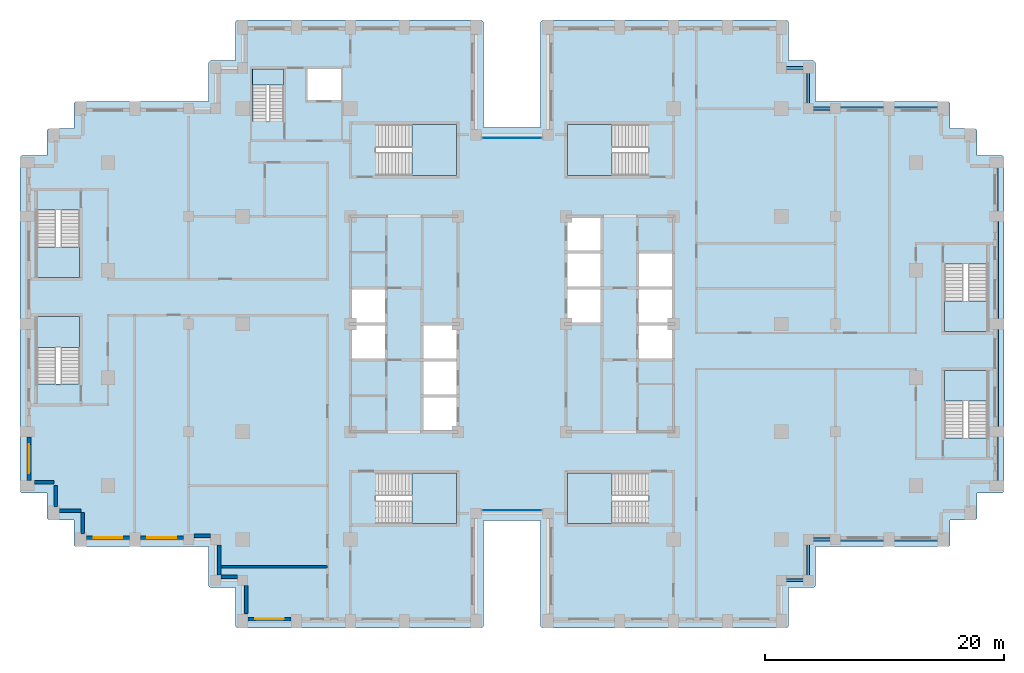
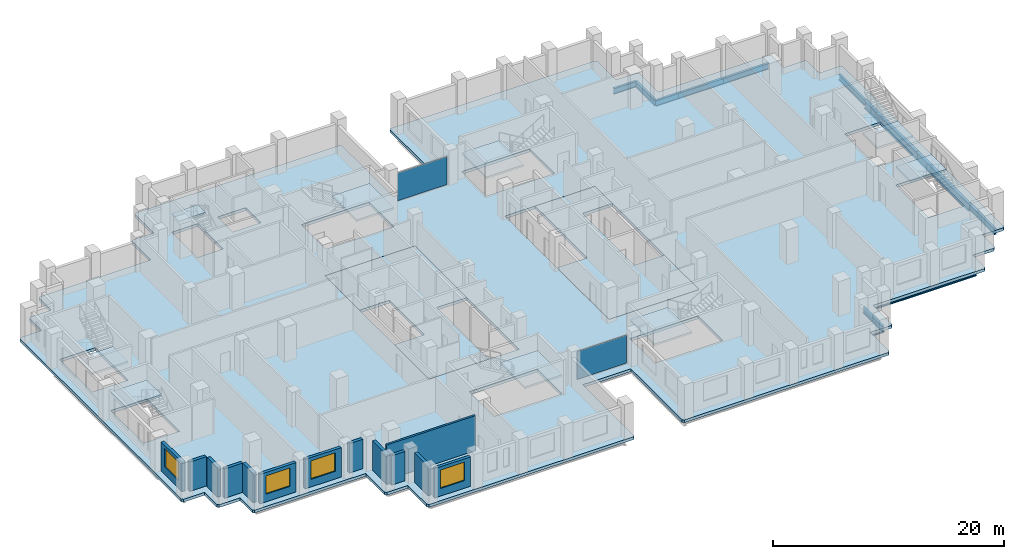
# One storey, part 5 of 15: 14 beams, 13 walls, 12 slabs, 4 windows, 2 plates, 4 openings, 11 elements without a shape of their own.
"""IFC4 building model written with IfcOpenShell, lengths in metres."""

from ifc_helpers import new_model, si_unit, direction, frame, frame_2d, origin, origin_2d, place, context, subcontext, project, spatial, polyline, rectangle, i_section, outline, extrude, material, layer, layer_set, material_profile, profile_set, type_object, element, fill, aggregate, save


model = new_model("IFC4")

# Units and contexts
model_context = context("Model", 3, precision=1e-05, world=origin(), true_north=direction((0.0, 1.0)))
body_context = subcontext(model_context, "Body", "Model", "MODEL_VIEW")
ifc_project = project(units=[si_unit("LENGTHUNIT", "METRE"), si_unit("AREAUNIT", "SQUARE_METRE"), si_unit("VOLUMEUNIT", "CUBIC_METRE"), si_unit("PLANEANGLEUNIT", "RADIAN"), si_unit("MASSUNIT", "GRAM", prefix="KILO")], contexts=[model_context])

# Site, building, storey
site_placement = place(None, origin())
site = spatial("IfcSite", under=ifc_project, at=site_placement, CompositionType="ELEMENT")
building_placement = place(site_placement, origin())
building = spatial("IfcBuilding", under=site, at=building_placement, Name="Corbelhall Arena Tower", CompositionType="ELEMENT")
storey_placement = place(building_placement, frame((0.0, 0.0, 84.0)))
storey = spatial("IfcBuildingStorey", under=building, at=storey_placement, Name="L13", CompositionType="ELEMENT", Elevation=84.0)

# Beams
ifc_material_1 = material(Name="Steel ASTM A992 Gr50", Category="steel")
ifc_material_profile_1 = material_profile(ifc_material_1, i_section(OverallWidth=0.23046875, OverallDepth=0.6171875, WebThickness=0.01318359375, FlangeThickness=0.022216796875, at=origin_2d()))
ifc_profile_set_1 = profile_set([ifc_material_profile_1], Name="Steel ASTM A992 Gr50")
beam_type_1 = type_object("IfcBeamType", Name="ST-SPANDREL-W24x94", PredefinedType="SPANDREL", material=ifc_profile_set_1)
for number, where, z_axis, x_axis, name in (
    (1, (40.5, 13.5, -0.608642578125), (0.0, -1.0, 0.0), (1.0, 0.0, 0.0), "Beam SP 10"),
    (2, (40.5, -9.0, -0.608642578125), (0.0, -1.0, 0.0), (1.0, 0.0, 0.0), "Beam SP 11"),
    (3, (31.5, 18.0, -0.608642578125), (1.0, 0.0, 0.0), (0.0, 1.0, 0.0), "Beam SP 12"),
    (4, (31.5, -18.0, -0.608642578125), (-1.0, 0.0, 0.0), (0.0, -1.0, 0.0), "Beam SP 13"),
    (5, (36.0, -18.0, -0.608642578125), (-1.0, 0.0, 0.0), (0.0, -1.0, 0.0), "Beam SP 14"),
    (6, (27.0, 18.0, -0.608642578125), (1.0, 0.0, 0.0), (0.0, 1.0, 0.0), "Beam SP 15"),
):
    element("IfcBeam", number, at=place(storey_placement, frame(where, z_axis=z_axis, x_axis=x_axis)), inside=storey, type_object=beam_type_1, Name=name, PredefinedType="SPANDREL", context=body_context, shape_type="SweptSolid", body=[
        extrude(i_section(OverallWidth=0.23046875, OverallDepth=0.6171875, WebThickness=0.01318359375, FlangeThickness=0.022216796875, at=origin_2d()), origin(), (0.0, 0.0, 1.0), 4.5),
    ])
for number, where, z_axis, x_axis, name in (
    (7, (27.0, -18.0, -0.608642578125), (-1.0, 0.0, 0.0), (0.0, -1.0, 0.0), "Beam SP 16"),
    (8, (22.5, 21.39990234375, -0.608642578125), (1.0, 0.0, 0.0), (0.0, 1.0, 0.0), "Beam SP 43"),
):
    element("IfcBeam", number, at=place(storey_placement, frame(where, z_axis=z_axis, x_axis=x_axis)), inside=storey, type_object=beam_type_1, Name=name, PredefinedType="SPANDREL", context=body_context, shape_type="SweptSolid", body=[
        extrude(i_section(OverallWidth=0.23046875, OverallDepth=0.6171875, WebThickness=0.01318359375, FlangeThickness=0.022216796875, at=origin_2d()), origin(), (0.0, 0.0, 1.0), 2.25),
    ])
beam_1_placement = place(storey_placement, frame((24.75, 21.39990234375, -0.608642578125), z_axis=(0.0, -1.0, 0.0), x_axis=(1.0, 0.0, 0.0)))
element("IfcBeam", 9, at=beam_1_placement, inside=storey, type_object=beam_type_1, Name="Beam SP 44", PredefinedType="SPANDREL", context=body_context, shape_type="SweptSolid", body=[
    extrude(i_section(OverallWidth=0.23046875, OverallDepth=0.6171875, WebThickness=0.01318359375, FlangeThickness=0.022216796875, at=origin_2d()), origin(), (0.0, 0.0, 1.0), 3.39990234375),
])
for number, where, z_axis, x_axis, name in (
    (10, (24.75, 18.0, -0.608642578125), (1.0, 0.0, 0.0), (0.0, 1.0, 0.0), "Beam SP 45"),
    (11, (24.75, -21.39990234375, -0.608642578125), (-1.0, 0.0, 0.0), (0.0, -1.0, 0.0), "Beam SP 50"),
):
    element("IfcBeam", number, at=place(storey_placement, frame(where, z_axis=z_axis, x_axis=x_axis)), inside=storey, type_object=beam_type_1, Name=name, PredefinedType="SPANDREL", context=body_context, shape_type="SweptSolid", body=[
        extrude(i_section(OverallWidth=0.23046875, OverallDepth=0.6171875, WebThickness=0.01318359375, FlangeThickness=0.022216796875, at=origin_2d()), origin(), (0.0, 0.0, 1.0), 2.25),
    ])
beam_2_placement = place(storey_placement, frame((24.75, -18.0, -0.608642578125), z_axis=(0.0, -1.0, 0.0), x_axis=(1.0, 0.0, 0.0)))
element("IfcBeam", 12, at=beam_2_placement, inside=storey, type_object=beam_type_1, Name="Beam SP 51", PredefinedType="SPANDREL", context=body_context, shape_type="SweptSolid", body=[
    extrude(i_section(OverallWidth=0.23046875, OverallDepth=0.6171875, WebThickness=0.01318359375, FlangeThickness=0.022216796875, at=origin_2d()), origin(), (0.0, 0.0, 1.0), 3.39990234375),
])
ifc_material_profile_2 = material_profile(ifc_material_1, i_section(OverallWidth=0.2919921875, OverallDepth=0.845703125, WebThickness=0.015380859375, FlangeThickness=0.0244140625, at=origin_2d()))
ifc_profile_set_2 = profile_set([ifc_material_profile_2], Name="Steel ASTM A992 Gr50")
beam_type_2 = type_object("IfcBeamType", Name="ST-SPANDREL-W33x141", PredefinedType="SPANDREL", material=ifc_profile_set_2)
for number, where, z_axis, x_axis, name in (
    (13, (40.5, 0.0, -0.722900390625), (0.0, -1.0, 0.0), (1.0, 0.0, 0.0), "Beam SP 8"),
    (14, (40.5, 9.0, -0.722900390625), (0.0, -1.0, 0.0), (1.0, 0.0, 0.0), "Beam SP 9"),
):
    element("IfcBeam", number, at=place(storey_placement, frame(where, z_axis=z_axis, x_axis=x_axis)), inside=storey, type_object=beam_type_2, Name=name, PredefinedType="SPANDREL", context=body_context, shape_type="SweptSolid", body=[
        extrude(i_section(OverallWidth=0.2919921875, OverallDepth=0.845703125, WebThickness=0.015380859375, FlangeThickness=0.0244140625, at=origin_2d()), origin(), (0.0, 0.0, 1.0), 9.0),
    ])

# Curtain wall, plate
ifc_material_2 = material(Name="Aluminium black anodised", Category="aluminium")
ifc_layer_1 = layer(ifc_material_2, 0.199951171875)
ifc_layer_set_1 = layer_set([ifc_layer_1], Name="EV-CW1 Slot back wall")
curtain_wall_type = type_object("IfcCurtainWallType", Name="EV-CW1 Slot back wall", PredefinedType="NOTDEFINED", material=ifc_layer_set_1)
curtain_wall_1_placement = place(storey_placement, origin())
curtain_wall_1 = element("IfcCurtainWall", 15, at=curtain_wall_1_placement, inside=storey, type_object=curtain_wall_type, Name="Curtain wall CW1", PredefinedType="NOTDEFINED")
ifc_material_3 = material(Name="Glass dark tinted laminated", Category="glass")
ifc_layer_2 = layer(ifc_material_3, 0.028076171875)
ifc_layer_set_2 = layer_set([ifc_layer_2], Name="EV-CW1-PANEL")
plate_type = type_object("IfcPlateType", Name="EV-CW1-PANEL", PredefinedType="CURTAIN_PANEL", material=ifc_layer_set_2)
plate_1_placement = place(storey_placement, frame((0.0, -15.550048828125, 0.0751953125), z_axis=(0.0, 0.0, 1.0), x_axis=(1.0, 0.0, 0.0)))
plate_1 = element("IfcPlate", 16, at=plate_1_placement, type_object=plate_type, Name="CW1 panel 1.1", PredefinedType="CURTAIN_PANEL", context=body_context, shape_type="SweptSolid", body=[
    extrude(rectangle(XDim=4.949951171875, YDim=0.028076171875, at=origin_2d()), origin(), (0.0, 0.0, 1.0), 2.949951171875),
])
aggregate(curtain_wall_1, [plate_1])

curtain_wall_2_placement = place(storey_placement, origin())
curtain_wall_2 = element("IfcCurtainWall", 17, at=curtain_wall_2_placement, inside=storey, type_object=curtain_wall_type, Name="Curtain wall CW1", PredefinedType="NOTDEFINED")
plate_2_placement = place(storey_placement, frame((0.0, 15.550048828125, 0.0751953125), z_axis=(0.0, 0.0, 1.0), x_axis=(-1.0, 0.0, 0.0)))
plate_2 = element("IfcPlate", 18, at=plate_2_placement, type_object=plate_type, Name="CW1 panel 1.1", PredefinedType="CURTAIN_PANEL", context=body_context, shape_type="SweptSolid", body=[
    extrude(rectangle(XDim=4.949951171875, YDim=0.028076171875, at=origin_2d()), origin(), (0.0, 0.0, 1.0), 2.949951171875),
])
aggregate(curtain_wall_2, [plate_2])

# Slabs
ifc_material_4 = material(Name="Concrete C40/50", Category="concrete")
ifc_layer_3 = layer(ifc_material_4, 0.300048828125)
ifc_layer_set_3 = layer_set([ifc_layer_3], Name="IN-SL-CORE")
slab_type_1 = type_object("IfcSlabType", Name="IN-SL-CORE", PredefinedType="FLOOR", material=ifc_layer_set_3)
slab_1_placement = place(storey_placement, frame((0.0, 0.0, -0.300048828125)))
element("IfcSlab", 19, at=slab_1_placement, inside=storey, type_object=slab_type_1, Name="Core floor W", PredefinedType="FLOOR", context=body_context, shape_type="SweptSolid", body=[
    extrude(outline(polyline([(-7.5, 0.0), (-4.5, 0.0), (-4.5, 9.0), (-13.5, 9.0), (-13.5, 3.0), (-10.5, 3.0), (-10.5, 0.0), (-10.5, -3.0), (-13.5, -3.0), (-13.5, -9.0), (-7.5, -9.0), (-7.5, -6.0), (-7.5, -3.0), (-7.5, 0.0)])), origin(), (0.0, 0.0, 1.0), 0.300048828125),
])
slab_2_placement = place(storey_placement, frame((0.0, 0.0, -0.300048828125)))
element("IfcSlab", 20, at=slab_2_placement, inside=storey, type_object=slab_type_1, Name="Core floor E", PredefinedType="FLOOR", context=body_context, shape_type="SweptSolid", body=[
    extrude(outline(polyline([(7.5, 0.0), (4.5, 0.0), (4.5, -9.0), (13.5, -9.0), (13.5, -3.0), (10.5, -3.0), (10.5, 0.0), (10.5, 3.0), (10.5, 6.0), (13.5, 6.0), (13.5, 9.0), (7.5, 9.0), (7.5, 6.0), (7.5, 3.0), (7.5, 0.0)])), origin(), (0.0, 0.0, 1.0), 0.300048828125),
])

# Stair, slab
stair_type = type_object("IfcStairType", Name="IN-ST-TOWER", PredefinedType="HALF_TURN_STAIR", material=ifc_material_4)
stair_1_placement = place(storey_placement, origin())
stair_1 = element("IfcStair", 21, at=stair_1_placement, inside=storey, type_object=stair_type, Name="L13 Exit stair ST1", PredefinedType="HALF_TURN_STAIR")
ifc_layer_4 = layer(ifc_material_4, 0.199951171875)
ifc_layer_set_4 = layer_set([ifc_layer_4], Name="IN-SL-LANDING")
slab_type_2 = type_object("IfcSlabType", Name="IN-SL-LANDING", PredefinedType="LANDING", material=ifc_layer_set_4)
slab_3_placement = place(storey_placement, frame((0.0, 0.0, 1.800048828125)))
slab_3 = element("IfcSlab", 22, at=slab_3_placement, type_object=slab_type_2, Name="ST1 landing 1", PredefinedType="LANDING", context=body_context, shape_type="SweptSolid", body=[
    extrude(outline(polyline([(-8.344970703125, 12.425048828125), (-4.625, 12.425048828125), (-4.625, 16.675048828125), (-8.344970703125, 16.675048828125), (-8.344970703125, 12.425048828125)])), origin(), (0.0, 0.0, 1.0), 0.199951171875),
])
aggregate(stair_1, [slab_3])

stair_2_placement = place(storey_placement, origin())
stair_2 = element("IfcStair", 23, at=stair_2_placement, inside=storey, type_object=stair_type, Name="L13 Exit stair ST2", PredefinedType="HALF_TURN_STAIR")
slab_4_placement = place(storey_placement, frame((0.0, 0.0, 1.800048828125)))
slab_4 = element("IfcSlab", 24, at=slab_4_placement, type_object=slab_type_2, Name="ST2 landing 1", PredefinedType="LANDING", context=body_context, shape_type="SweptSolid", body=[
    extrude(outline(polyline([(-8.344970703125, -16.675048828125), (-4.625, -16.675048828125), (-4.625, -12.425048828125), (-8.344970703125, -12.425048828125), (-8.344970703125, -16.675048828125)])), origin(), (0.0, 0.0, 1.0), 0.199951171875),
])
aggregate(stair_2, [slab_4])

stair_3_placement = place(storey_placement, origin())
stair_3 = element("IfcStair", 25, at=stair_3_placement, inside=storey, type_object=stair_type, Name="L13 Exit stair ST3", PredefinedType="HALF_TURN_STAIR")
slab_5_placement = place(storey_placement, frame((0.0, 0.0, 1.800048828125)))
slab_5 = element("IfcSlab", 26, at=slab_5_placement, type_object=slab_type_2, Name="ST3 landing 1", PredefinedType="LANDING", context=body_context, shape_type="SweptSolid", body=[
    extrude(outline(polyline([(8.344970703125, 16.675048828125), (4.625, 16.675048828125), (4.625, 12.425048828125), (8.344970703125, 12.425048828125), (8.344970703125, 16.675048828125)])), origin(), (0.0, 0.0, 1.0), 0.199951171875),
])
aggregate(stair_3, [slab_5])

stair_4_placement = place(storey_placement, origin())
stair_4 = element("IfcStair", 27, at=stair_4_placement, inside=storey, type_object=stair_type, Name="L13 Exit stair ST4", PredefinedType="HALF_TURN_STAIR")
slab_6_placement = place(storey_placement, frame((0.0, 0.0, 1.800048828125)))
slab_6 = element("IfcSlab", 28, at=slab_6_placement, type_object=slab_type_2, Name="ST4 landing 1", PredefinedType="LANDING", context=body_context, shape_type="SweptSolid", body=[
    extrude(outline(polyline([(8.344970703125, -12.425048828125), (4.625, -12.425048828125), (4.625, -16.675048828125), (8.344970703125, -16.675048828125), (8.344970703125, -12.425048828125)])), origin(), (0.0, 0.0, 1.0), 0.199951171875),
])
aggregate(stair_4, [slab_6])

stair_5_placement = place(storey_placement, origin())
stair_5 = element("IfcStair", 29, at=stair_5_placement, inside=storey, type_object=stair_type, Name="L13 Exit stair SC1", PredefinedType="HALF_TURN_STAIR")
slab_7_placement = place(storey_placement, frame((0.0, 0.0, 1.800048828125)))
slab_7 = element("IfcSlab", 30, at=slab_7_placement, type_object=slab_type_2, Name="SC1 landing 1", PredefinedType="LANDING", context=body_context, shape_type="SweptSolid", body=[
    extrude(outline(polyline([(-39.699951171875, 6.445068359375), (-39.699951171875, 3.875), (-36.125, 3.875), (-36.125, 6.445068359375), (-39.699951171875, 6.445068359375)])), origin(), (0.0, 0.0, 1.0), 0.199951171875),
])
aggregate(stair_5, [slab_7])

stair_6_placement = place(storey_placement, origin())
stair_6 = element("IfcStair", 31, at=stair_6_placement, inside=storey, type_object=stair_type, Name="L13 Exit stair SC2", PredefinedType="HALF_TURN_STAIR")
slab_8_placement = place(storey_placement, frame((0.0, 0.0, 1.800048828125)))
slab_8 = element("IfcSlab", 32, at=slab_8_placement, type_object=slab_type_2, Name="SC2 landing 1", PredefinedType="LANDING", context=body_context, shape_type="SweptSolid", body=[
    extrude(outline(polyline([(-36.125, -1.945068359375), (-36.125, 0.625), (-39.699951171875, 0.625), (-39.699951171875, -1.945068359375), (-36.125, -1.945068359375)])), origin(), (0.0, 0.0, 1.0), 0.199951171875),
])
aggregate(stair_6, [slab_8])

stair_7_placement = place(storey_placement, origin())
stair_7 = element("IfcStair", 33, at=stair_7_placement, inside=storey, type_object=stair_type, Name="L13 Exit stair SD1", PredefinedType="HALF_TURN_STAIR")
slab_9_placement = place(storey_placement, frame((0.0, 0.0, 1.800048828125)))
slab_9 = element("IfcSlab", 34, at=slab_9_placement, type_object=slab_type_2, Name="SD1 landing 1", PredefinedType="LANDING", context=body_context, shape_type="SweptSolid", body=[
    extrude(outline(polyline([(39.699951171875, -6.445068359375), (39.699951171875, -3.875), (36.125, -3.875), (36.125, -6.445068359375), (39.699951171875, -6.445068359375)])), origin(), (0.0, 0.0, 1.0), 0.199951171875),
])
aggregate(stair_7, [slab_9])

stair_8_placement = place(storey_placement, origin())
stair_8 = element("IfcStair", 35, at=stair_8_placement, inside=storey, type_object=stair_type, Name="L13 Exit stair SD2", PredefinedType="HALF_TURN_STAIR")
slab_10_placement = place(storey_placement, frame((0.0, 0.0, 1.800048828125)))
slab_10 = element("IfcSlab", 36, at=slab_10_placement, type_object=slab_type_2, Name="SD2 landing 1", PredefinedType="LANDING", context=body_context, shape_type="SweptSolid", body=[
    extrude(outline(polyline([(36.125, 1.945068359375), (36.125, -0.625), (39.699951171875, -0.625), (39.699951171875, 1.945068359375), (36.125, 1.945068359375)])), origin(), (0.0, 0.0, 1.0), 0.199951171875),
])
aggregate(stair_8, [slab_10])

stair_9_placement = place(storey_placement, origin())
stair_9 = element("IfcStair", 37, at=stair_9_placement, inside=storey, type_object=stair_type, Name="L13 Exit stair ST5", PredefinedType="HALF_TURN_STAIR")
slab_11_placement = place(storey_placement, frame((0.0, 0.0, 1.800048828125)))
slab_11 = element("IfcSlab", 38, at=slab_11_placement, type_object=slab_type_2, Name="ST5 landing 1", PredefinedType="LANDING", context=body_context, shape_type="SweptSolid", body=[
    extrude(outline(polyline([(-19.094970703125, 19.97998046875), (-19.094970703125, 21.300048828125), (-21.695068359375, 21.300048828125), (-21.695068359375, 19.97998046875), (-19.094970703125, 19.97998046875)])), origin(), (0.0, 0.0, 1.0), 0.199951171875),
])
aggregate(stair_9, [slab_11])

# Slab
ifc_layer_5 = layer(ifc_material_4, 0.300048828125)
ifc_layer_set_5 = layer_set([ifc_layer_5], Name="ST-SLAB-FLOOR-300")
slab_type_3 = type_object("IfcSlabType", Name="ST-SLAB-FLOOR-300", PredefinedType="FLOOR", material=ifc_layer_set_5)
slab_12_placement = place(storey_placement, frame((0.0, 0.0, -0.300048828125)))
element("IfcSlab", 39, at=slab_12_placement, inside=storey, type_object=slab_type_3, Name="Floor slab L13 1", PredefinedType="FLOOR", context=body_context, shape_type="SweptSolid", body=[
    extrude(outline(polyline([(25.35009765625, 18.60009765625), (25.35009765625, 21.85009765625), (25.199951171875, 22.0), (23.10009765625, 22.0), (23.10009765625, 25.25), (22.949951171875, 25.39990234375), (2.550048828125, 25.39990234375), (2.39990234375, 25.25), (2.39990234375, 16.39990234375), (-2.39990234375, 16.39990234375), (-2.39990234375, 25.25), (-2.550048828125, 25.39990234375), (-22.949951171875, 25.39990234375), (-23.10009765625, 25.25), (-23.10009765625, 22.0), (-25.199951171875, 22.0), (-25.35009765625, 21.85009765625), (-25.35009765625, 18.60009765625), (-36.449951171875, 18.60009765625), (-36.60009765625, 18.449951171875), (-36.60009765625, 16.35009765625), (-38.699951171875, 16.35009765625), (-38.85009765625, 16.199951171875), (-38.85009765625, 14.10009765625), (-40.949951171875, 14.10009765625), (-41.10009765625, 13.949951171875), (-41.10009765625, -13.949951171875), (-40.949951171875, -14.10009765625), (-38.85009765625, -14.10009765625), (-38.85009765625, -16.199951171875), (-38.699951171875, -16.35009765625), (-36.60009765625, -16.35009765625), (-36.60009765625, -18.449951171875), (-36.449951171875, -18.60009765625), (-25.35009765625, -18.60009765625), (-25.35009765625, -21.85009765625), (-25.199951171875, -22.0), (-23.10009765625, -22.0), (-23.10009765625, -25.25), (-22.949951171875, -25.39990234375), (-2.550048828125, -25.39990234375), (-2.39990234375, -25.25), (-2.39990234375, -16.39990234375), (2.39990234375, -16.39990234375), (2.39990234375, -25.25), (2.550048828125, -25.39990234375), (22.949951171875, -25.39990234375), (23.10009765625, -25.25), (23.10009765625, -22.0), (25.199951171875, -22.0), (25.35009765625, -21.85009765625), (25.35009765625, -18.60009765625), (36.449951171875, -18.60009765625), (36.60009765625, -18.449951171875), (36.60009765625, -16.35009765625), (38.699951171875, -16.35009765625), (38.85009765625, -16.199951171875), (38.85009765625, -14.10009765625), (40.949951171875, -14.10009765625), (41.10009765625, -13.949951171875), (41.10009765625, 13.949951171875), (40.949951171875, 14.10009765625), (38.85009765625, 14.10009765625), (38.85009765625, 16.199951171875), (38.699951171875, 16.35009765625), (36.60009765625, 16.35009765625), (36.60009765625, 18.449951171875), (36.449951171875, 18.60009765625), (25.35009765625, 18.60009765625)]), holes=[polyline([(-13.5, 9.0), (-13.5, -9.0), (-4.5, -9.0), (-4.5, 9.0), (-13.5, 9.0)]), polyline([(4.5, 9.0), (4.5, -9.0), (13.5, -9.0), (13.5, 9.0), (4.5, 9.0)]), polyline([(-4.625, 16.675048828125), (-11.422119140625, 16.675048828125), (-11.422119140625, 12.425048828125), (-4.625, 12.425048828125), (-4.625, 16.675048828125)]), polyline([(-4.625, -16.675048828125), (-4.625, -12.425048828125), (-11.422119140625, -12.425048828125), (-11.422119140625, -16.675048828125), (-4.625, -16.675048828125)]), polyline([(11.422119140625, 16.675048828125), (4.625, 16.675048828125), (4.625, 12.425048828125), (11.422119140625, 12.425048828125), (11.422119140625, 16.675048828125)]), polyline([(11.422119140625, -16.675048828125), (11.422119140625, -12.425048828125), (4.625, -12.425048828125), (4.625, -16.675048828125), (11.422119140625, -16.675048828125)]), polyline([(-36.125, 3.875), (-36.125, 9.52197265625), (-39.699951171875, 9.52197265625), (-39.699951171875, 3.875), (-36.125, 3.875)]), polyline([(-36.125, 0.625), (-39.699951171875, 0.625), (-39.699951171875, -5.02197265625), (-36.125, -5.02197265625), (-36.125, 0.625)]), polyline([(39.699951171875, -9.52197265625), (39.699951171875, -3.875), (36.125, -3.875), (36.125, -9.52197265625), (39.699951171875, -9.52197265625)]), polyline([(39.699951171875, 5.02197265625), (36.125, 5.02197265625), (36.125, -0.625), (39.699951171875, -0.625), (39.699951171875, 5.02197265625)]), polyline([(-21.695068359375, 21.300048828125), (-21.695068359375, 16.903076171875), (-19.094970703125, 16.903076171875), (-19.094970703125, 21.300048828125), (-21.695068359375, 21.300048828125)]), polyline([(-14.300048828125, 21.300048828125), (-17.10009765625, 21.300048828125), (-17.10009765625, 18.699951171875), (-14.300048828125, 18.699951171875), (-14.300048828125, 21.300048828125)])]), origin(), (0.0, 0.0, 1.0), 0.300048828125),
])

# Walls
ifc_material_5 = material(Name="Precast concrete C40/50 with granite facing", Category="masonry")
ifc_layer_6 = layer(ifc_material_5, 0.300048828125)
ifc_layer_set_6 = layer_set([ifc_layer_6], Name="EV-IW1 Infill panel 300")
wall_type_1 = type_object("IfcWallType", Name="EV-IW1 Infill panel 300", PredefinedType="SOLIDWALL", material=ifc_layer_set_6)
wall_1_placement = place(storey_placement, frame((-39.89990234375, -13.199951171875, 0.0), z_axis=(0.0, 0.0, 1.0), x_axis=(1.0, 0.0, 0.0)))
element("IfcWall", 40, at=wall_1_placement, inside=storey, type_object=wall_type_1, Name="Infill panel IW1", PredefinedType="SOLIDWALL", context=body_context, shape_type="SweptSolid", body=[
    extrude(rectangle(XDim=1.64990234375, YDim=0.300048828125, at=frame_2d((0.824951171875, 0.0))), origin(), (0.0, 0.0, 1.0), 3.10009765625),
])
for number, where, z_axis, x_axis, name in (
    (41, (-38.10009765625, -15.300048828125, 0.0), (0.0, 0.0, 1.0), (0.0, 1.0, 0.0), "Infill panel IW1"),
    (42, (-37.800048828125, -15.60009765625, 0.0), (0.0, 0.0, 1.0), (1.0, 0.0, 0.0), "Infill panel IW1"),
    (43, (-35.85009765625, -17.550048828125, 0.0), (0.0, 0.0, 1.0), (0.0, 1.0, 0.0), "Infill panel IW1"),
):
    element("IfcWall", number, at=place(storey_placement, frame(where, z_axis=z_axis, x_axis=x_axis)), inside=storey, type_object=wall_type_1, Name=name, PredefinedType="SOLIDWALL", context=body_context, shape_type="SweptSolid", body=[
        extrude(rectangle(XDim=1.800048828125, YDim=0.300048828125, at=frame_2d((0.89990234375, 0.0))), origin(), (0.0, 0.0, 1.0), 3.10009765625),
    ])

# Wall, opening, window
wall_2_placement = place(storey_placement, frame((-40.35009765625, -9.449951171875, 0.0), z_axis=(0.0, 0.0, 1.0), x_axis=(0.0, -1.0, 0.0)))
wall_2 = element("IfcWall", 44, at=wall_2_placement, inside=storey, type_object=wall_type_1, Name="Infill panel IW1", PredefinedType="SOLIDWALL", context=body_context, shape_type="SweptSolid", body=[
    extrude(rectangle(XDim=3.60009765625, YDim=0.300048828125, at=frame_2d((1.800048828125, 0.0))), origin(), (0.0, 0.0, 1.0), 3.10009765625),
])
opening_1_placement = place(wall_2_placement, frame((0.60009765625, 0.0, 0.800048828125)))
opening_1 = element("IfcOpeningElement", 45, at=opening_1_placement, cuts=wall_2, Name="Opening WN1", PredefinedType="OPENING", context=body_context, shape_type="SweptSolid", body=[
    extrude(rectangle(XDim=2.39990234375, YDim=1.949951171875, at=frame_2d((1.199951171875, 0.97509765625))), frame((0.0, 0.14990234375, 0.0), z_axis=(0.0, -1.0, 0.0), x_axis=(1.0, 0.0, 0.0)), (0.0, 0.0, 1.0), 0.300048828125),
])
window_type = type_object("IfcWindowType", Name="EV-WN1 Office window", PartitioningType="SINGLE_PANEL", PredefinedType="WINDOW", material=ifc_material_2)
window_1_placement = place(opening_1_placement, origin())
window_1 = element("IfcWindow", 46, at=window_1_placement, inside=storey, type_object=window_type, Name="Window WN1", OverallHeight=1.949951171875, OverallWidth=2.39990234375, PartitioningType="SINGLE_PANEL", PredefinedType="WINDOW", context=body_context, shape_type="SweptSolid", body=[
    extrude(rectangle(XDim=2.39990234375, YDim=1.949951171875, at=frame_2d((1.199951171875, 0.97509765625))), frame((0.0, 0.030029296875, 0.0), z_axis=(0.0, -1.0, 0.0), x_axis=(1.0, 0.0, 0.0)), (0.0, 0.0, 1.0), 0.06005859375),
])
fill(opening_1, window_1)

wall_3_placement = place(storey_placement, frame((-35.550048828125, -17.85009765625, 0.0), z_axis=(0.0, 0.0, 1.0), x_axis=(1.0, 0.0, 0.0)))
wall_3 = element("IfcWall", 47, at=wall_3_placement, inside=storey, type_object=wall_type_1, Name="Infill panel IW1", PredefinedType="SOLIDWALL", context=body_context, shape_type="SweptSolid", body=[
    extrude(rectangle(XDim=3.60009765625, YDim=0.300048828125, at=frame_2d((1.800048828125, 0.0))), origin(), (0.0, 0.0, 1.0), 3.10009765625),
])
opening_2_placement = place(wall_3_placement, frame((0.60009765625, 0.0, 0.800048828125)))
opening_2 = element("IfcOpeningElement", 48, at=opening_2_placement, cuts=wall_3, Name="Opening WN1", PredefinedType="OPENING", context=body_context, shape_type="SweptSolid", body=[
    extrude(rectangle(XDim=2.39990234375, YDim=1.949951171875, at=frame_2d((1.199951171875, 0.97509765625))), frame((0.0, 0.14990234375, 0.0), z_axis=(0.0, -1.0, 0.0), x_axis=(1.0, 0.0, 0.0)), (0.0, 0.0, 1.0), 0.300048828125),
])
window_2_placement = place(opening_2_placement, origin())
window_2 = element("IfcWindow", 49, at=window_2_placement, inside=storey, type_object=window_type, Name="Window WN1", OverallHeight=1.949951171875, OverallWidth=2.39990234375, PartitioningType="SINGLE_PANEL", PredefinedType="WINDOW", context=body_context, shape_type="SweptSolid", body=[
    extrude(rectangle(XDim=2.39990234375, YDim=1.949951171875, at=frame_2d((1.199951171875, 0.97509765625))), frame((0.0, 0.030029296875, 0.0), z_axis=(0.0, -1.0, 0.0), x_axis=(1.0, 0.0, 0.0)), (0.0, 0.0, 1.0), 0.06005859375),
])
fill(opening_2, window_2)

wall_4_placement = place(storey_placement, frame((-31.050048828125, -17.85009765625, 0.0), z_axis=(0.0, 0.0, 1.0), x_axis=(1.0, 0.0, 0.0)))
wall_4 = element("IfcWall", 50, at=wall_4_placement, inside=storey, type_object=wall_type_1, Name="Infill panel IW1", PredefinedType="SOLIDWALL", context=body_context, shape_type="SweptSolid", body=[
    extrude(rectangle(XDim=3.60009765625, YDim=0.300048828125, at=frame_2d((1.800048828125, 0.0))), origin(), (0.0, 0.0, 1.0), 3.10009765625),
])
opening_3_placement = place(wall_4_placement, frame((0.60009765625, 0.0, 0.800048828125)))
opening_3 = element("IfcOpeningElement", 51, at=opening_3_placement, cuts=wall_4, Name="Opening WN1", PredefinedType="OPENING", context=body_context, shape_type="SweptSolid", body=[
    extrude(rectangle(XDim=2.39990234375, YDim=1.949951171875, at=frame_2d((1.199951171875, 0.97509765625))), frame((0.0, 0.14990234375, 0.0), z_axis=(0.0, -1.0, 0.0), x_axis=(1.0, 0.0, 0.0)), (0.0, 0.0, 1.0), 0.300048828125),
])
window_3_placement = place(opening_3_placement, origin())
window_3 = element("IfcWindow", 52, at=window_3_placement, inside=storey, type_object=window_type, Name="Window WN1", OverallHeight=1.949951171875, OverallWidth=2.39990234375, PartitioningType="SINGLE_PANEL", PredefinedType="WINDOW", context=body_context, shape_type="SweptSolid", body=[
    extrude(rectangle(XDim=2.39990234375, YDim=1.949951171875, at=frame_2d((1.199951171875, 0.97509765625))), frame((0.0, 0.030029296875, 0.0), z_axis=(0.0, -1.0, 0.0), x_axis=(1.0, 0.0, 0.0)), (0.0, 0.0, 1.0), 0.06005859375),
])
fill(opening_3, window_3)

# Walls
wall_5_placement = place(storey_placement, frame((-26.550048828125, -17.699951171875, 0.0), z_axis=(0.0, 0.0, 1.0), x_axis=(1.0, 0.0, 0.0)))
element("IfcWall", 53, at=wall_5_placement, inside=storey, type_object=wall_type_1, Name="Infill panel IW1", PredefinedType="SOLIDWALL", context=body_context, shape_type="SweptSolid", body=[
    extrude(rectangle(XDim=1.35009765625, YDim=0.300048828125, at=frame_2d((0.675048828125, 0.0))), origin(), (0.0, 0.0, 1.0), 3.10009765625),
])
wall_6_placement = place(storey_placement, frame((-24.449951171875, -18.449951171875, 0.0), z_axis=(0.0, 0.0, 1.0), x_axis=(0.0, -1.0, 0.0)))
element("IfcWall", 54, at=wall_6_placement, inside=storey, type_object=wall_type_1, Name="Infill panel IW1", PredefinedType="SOLIDWALL", context=body_context, shape_type="SweptSolid", body=[
    extrude(rectangle(XDim=2.5, YDim=0.300048828125, at=frame_2d((1.25, 0.0))), origin(), (0.0, 0.0, 1.0), 3.10009765625),
])
wall_7_placement = place(storey_placement, frame((-24.300048828125, -21.10009765625, 0.0), z_axis=(0.0, 0.0, 1.0), x_axis=(1.0, 0.0, 0.0)))
element("IfcWall", 55, at=wall_7_placement, inside=storey, type_object=wall_type_1, Name="Infill panel IW1", PredefinedType="SOLIDWALL", context=body_context, shape_type="SweptSolid", body=[
    extrude(rectangle(XDim=1.35009765625, YDim=0.300048828125, at=frame_2d((0.675048828125, 0.0))), origin(), (0.0, 0.0, 1.0), 3.10009765625),
])
wall_8_placement = place(storey_placement, frame((-22.199951171875, -21.85009765625, 0.0), z_axis=(0.0, 0.0, 1.0), x_axis=(0.0, -1.0, 0.0)))
element("IfcWall", 56, at=wall_8_placement, inside=storey, type_object=wall_type_1, Name="Infill panel IW1", PredefinedType="SOLIDWALL", context=body_context, shape_type="SweptSolid", body=[
    extrude(rectangle(XDim=2.349853515625, YDim=0.300048828125, at=frame_2d((1.1748046875, 0.0))), origin(), (0.0, 0.0, 1.0), 3.10009765625),
])

# Wall, opening, window
wall_9_placement = place(storey_placement, frame((-22.050048828125, -24.64990234375, 0.0), z_axis=(0.0, 0.0, 1.0), x_axis=(1.0, 0.0, 0.0)))
wall_9 = element("IfcWall", 57, at=wall_9_placement, inside=storey, type_object=wall_type_1, Name="Infill panel IW1", PredefinedType="SOLIDWALL", context=body_context, shape_type="SweptSolid", body=[
    extrude(rectangle(XDim=3.60009765625, YDim=0.300048828125, at=frame_2d((1.800048828125, 0.0))), origin(), (0.0, 0.0, 1.0), 3.10009765625),
])
opening_4_placement = place(wall_9_placement, frame((0.60009765625, 0.0, 0.800048828125)))
opening_4 = element("IfcOpeningElement", 58, at=opening_4_placement, cuts=wall_9, Name="Opening WN1", PredefinedType="OPENING", context=body_context, shape_type="SweptSolid", body=[
    extrude(rectangle(XDim=2.39990234375, YDim=1.949951171875, at=frame_2d((1.199951171875, 0.97509765625))), frame((0.0, 0.14990234375, 0.0), z_axis=(0.0, -1.0, 0.0), x_axis=(1.0, 0.0, 0.0)), (0.0, 0.0, 1.0), 0.300048828125),
])
window_4_placement = place(opening_4_placement, origin())
window_4 = element("IfcWindow", 59, at=window_4_placement, inside=storey, type_object=window_type, Name="Window WN1", OverallHeight=1.949951171875, OverallWidth=2.39990234375, PartitioningType="SINGLE_PANEL", PredefinedType="WINDOW", context=body_context, shape_type="SweptSolid", body=[
    extrude(rectangle(XDim=2.39990234375, YDim=1.949951171875, at=frame_2d((1.199951171875, 0.97509765625))), frame((0.0, 0.030029296875, 0.0), z_axis=(0.0, -1.0, 0.0), x_axis=(1.0, 0.0, 0.0)), (0.0, 0.0, 1.0), 0.06005859375),
])
fill(opening_4, window_4)

# Wall
ifc_material_6 = material(Name="Gypsum board on steel stud, acoustic", Category="steel")
ifc_layer_7 = layer(ifc_material_6, 0.199951171875)
ifc_layer_set_7 = layer_set([ifc_layer_7], Name="IN-W-DM200")
wall_type_2 = type_object("IfcWallType", Name="IN-W-DM200", PredefinedType="PARTITIONING", material=ifc_layer_set_7)
wall_10_placement = place(storey_placement, frame((-24.300048828125, -20.27490234375, 0.0), z_axis=(0.0, 0.0, 1.0), x_axis=(1.0, 0.0, 0.0)))
element("IfcWall", 60, at=wall_10_placement, inside=storey, type_object=wall_type_2, Name="Partition 012", PredefinedType="PARTITIONING", context=body_context, shape_type="SweptSolid", body=[
    extrude(rectangle(XDim=8.900146484375, YDim=0.199951171875, at=frame_2d((4.4501953125, 0.0))), origin(), (0.0, 0.0, 1.0), 3.699951171875),
])

save(model, "model.ifc")
